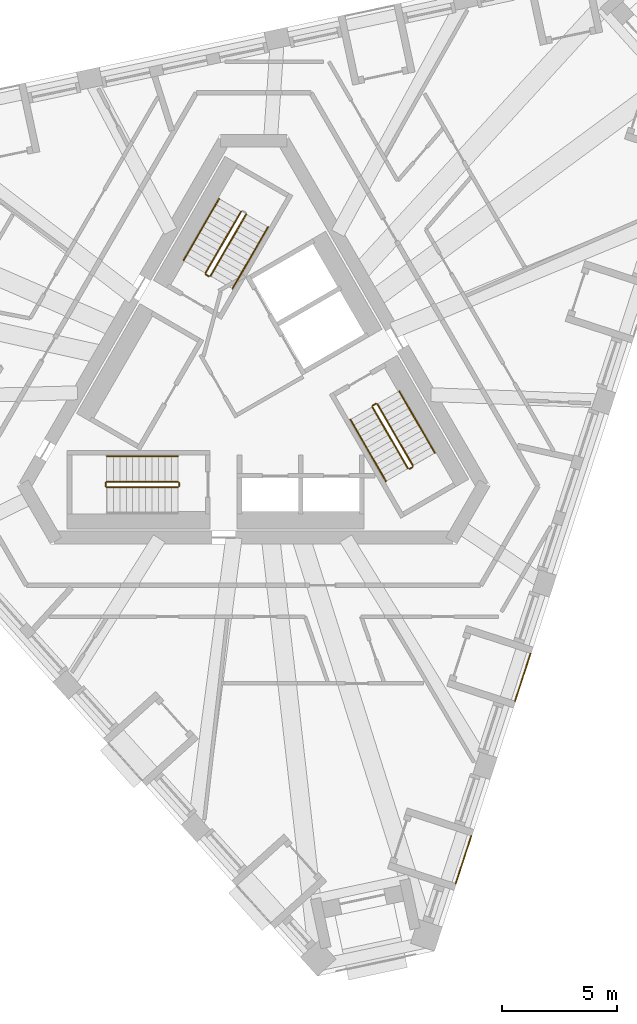
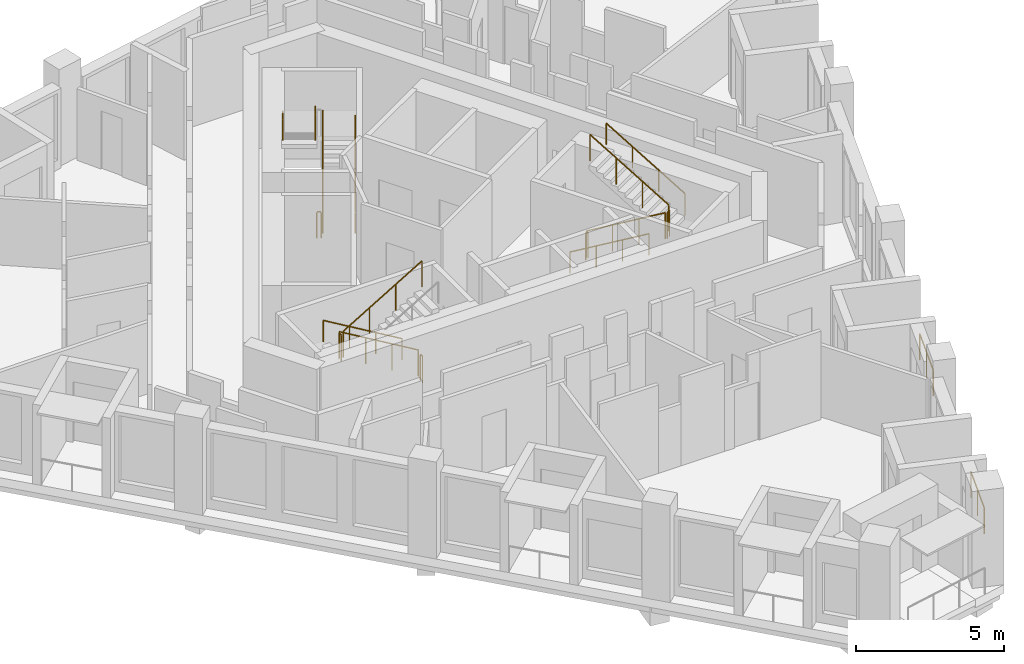
# One storey, part 11 of 13: 18 railings.
"""IFC4 building model written with IfcOpenShell, lengths in metres."""

from ifc_helpers import new_model, si_unit, direction, frame, origin, origin_2d, place, context, subcontext, project, spatial, circle, extrude, material, type_object, element, save


model = new_model("IFC4")

# Units and contexts
model_context = context("Model", 3, precision=1e-05, world=origin(), true_north=direction((0.0, 1.0)))
body_context = subcontext(model_context, "Body", "Model", "MODEL_VIEW")
ifc_project = project(units=[si_unit("LENGTHUNIT", "METRE"), si_unit("AREAUNIT", "SQUARE_METRE"), si_unit("VOLUMEUNIT", "CUBIC_METRE"), si_unit("PLANEANGLEUNIT", "RADIAN"), si_unit("MASSUNIT", "GRAM", prefix="KILO")], contexts=[model_context])

# Site, building, storey
site_placement = place(None, origin())
site = spatial("IfcSite", under=ifc_project, at=site_placement, CompositionType="ELEMENT")
building_placement = place(site_placement, origin())
building = spatial("IfcBuilding", under=site, at=building_placement, Name="Tramontana Tower", CompositionType="ELEMENT")
storey_placement = place(building_placement, frame((0.0, 0.0, 324.39990234375)))
storey = spatial("IfcBuildingStorey", under=building, at=storey_placement, Name="L74", CompositionType="ELEMENT", Elevation=324.39990234375)

# Railings
ifc_material_1 = material(Name="Laminated glass balustrade", Category="glass")
railing_type_1 = type_object("IfcRailingType", Name="GD1 Loggia glass balustrade 1100", PredefinedType="BALUSTRADE", material=ifc_material_1)
for number, where, name in (
    (1, (8.763671875, -21.472412109375, 0.0), "Loggia balustrade L74 G8S1.1"),
    (2, (11.332763671875, -13.5654296875, 0.0), "Loggia balustrade L74 G8S1.4"),
):
    element("IfcRailing", number, at=place(storey_placement, frame(where)), inside=storey, type_object=railing_type_1, Name=name, PredefinedType="BALUSTRADE", context=body_context, shape_type="SweptSolid", body=[
        extrude(circle(Radius=0.02392578125, at=origin_2d()), frame((0.0, 0.0, 1.076171875), z_axis=(0.308999623589, 0.95106216023, 0.0), x_axis=(-0.95106216023, 0.308999623589, 0.0)), (0.0, 0.0, 1.0), 2.171142578125),
        extrude(circle(Radius=0.02099609375, at=origin_2d()), origin(), (0.0, 0.0, 1.0), 1.052001953125),
        extrude(circle(Radius=0.02099609375, at=origin_2d()), frame((0.33544921875, 1.032470703125, 0.0)), (0.0, 0.0, 1.0), 1.052001953125),
        extrude(circle(Radius=0.02099609375, at=origin_2d()), frame((0.6708984375, 2.06494140625, 0.0)), (0.0, 0.0, 1.0), 1.052001953125),
    ])
ifc_material_2 = material(Name="Painted steel", Category="steel")
railing_type_2 = type_object("IfcRailingType", Name="STAIR GUARD 1100", PredefinedType="GUARDRAIL", material=ifc_material_2)
railing_1_placement = place(storey_placement, frame((-1.867431640625, 4.865478515625, 0.166748046875)))
element("IfcRailing", 3, at=railing_1_placement, inside=storey, type_object=railing_type_2, Name="L74 ST1 stair guard 1", PredefinedType="GUARDRAIL", context=body_context, shape_type="SweptSolid", body=[
    extrude(circle(Radius=0.02392578125, at=origin_2d()), frame((0.0, 0.0, 1.076171875), z_axis=(0.429649414936, 0.744189839504, 0.511451721109), x_axis=(-0.866029832698, 0.499992328818, 0.0)), (0.0, 0.0, 1.0), 3.58447265625),
    extrude(circle(Radius=0.02099609375, at=origin_2d()), origin(), (0.0, 0.0, 1.0), 1.052001953125),
    extrude(circle(Radius=0.02099609375, at=origin_2d()), frame((0.513427734375, 0.88916015625, 0.611083984375)), (0.0, 0.0, 1.0), 1.052001953125),
    extrude(circle(Radius=0.02099609375, at=origin_2d()), frame((1.026611328125, 1.7783203125, 1.22216796875)), (0.0, 0.0, 1.0), 1.052001953125),
    extrude(circle(Radius=0.02099609375, at=origin_2d()), frame((1.5400390625, 2.66748046875, 1.833251953125)), (0.0, 0.0, 1.0), 1.052001953125),
])
railing_2_placement = place(storey_placement, frame((-0.5439453125, 7.657958984375, 2.166748046875)))
element("IfcRailing", 4, at=railing_2_placement, inside=storey, type_object=railing_type_2, Name="L74 ST1 stair guard 2", PredefinedType="GUARDRAIL", context=body_context, shape_type="SweptSolid", body=[
    extrude(circle(Radius=0.02392578125, at=origin_2d()), frame((0.0, 0.0, 1.076171875), z_axis=(-0.429649414936, -0.744189839504, 0.511451721109), x_axis=(0.866029832698, -0.499992328818, 0.0)), (0.0, 0.0, 1.0), 3.58447265625),
    extrude(circle(Radius=0.02099609375, at=origin_2d()), origin(), (0.0, 0.0, 1.0), 1.052001953125),
    extrude(circle(Radius=0.02099609375, at=origin_2d()), frame((-0.513427734375, -0.88916015625, 0.611083984375)), (0.0, 0.0, 1.0), 1.052001953125),
    extrude(circle(Radius=0.02099609375, at=origin_2d()), frame((-1.026611328125, -1.7783203125, 1.22216796875)), (0.0, 0.0, 1.0), 1.052001953125),
    extrude(circle(Radius=0.02099609375, at=origin_2d()), frame((-1.5400390625, -2.66748046875, 1.833251953125)), (0.0, 0.0, 1.0), 1.052001953125),
])
railing_3_placement = place(storey_placement, frame((-1.935791015625, 4.84716796875, 0.0)))
element("IfcRailing", 5, at=railing_3_placement, inside=storey, type_object=railing_type_2, Name="L74 ST1 stair guard 4", PredefinedType="GUARDRAIL", context=body_context, shape_type="SweptSolid", body=[
    extrude(circle(Radius=0.02392578125, at=origin_2d()), frame((0.0, 0.0, 1.076171875), z_axis=(-0.865426285481, 0.501036270542, 0.0), x_axis=(-0.501036270542, -0.865426285481, 0.0)), (0.0, 0.0, 1.0), 0.150146484375),
    extrude(circle(Radius=0.02099609375, at=origin_2d()), origin(), (0.0, 0.0, 1.0), 1.052001953125),
    extrude(circle(Radius=0.02099609375, at=origin_2d()), frame((-0.1298828125, 0.0751953125, 0.0)), (0.0, 0.0, 1.0), 1.052001953125),
])
railing_4_placement = place(storey_placement, frame((-3.280029296875, -4.050048828125, 0.166748046875)))
element("IfcRailing", 6, at=railing_4_placement, inside=storey, type_object=railing_type_2, Name="L74 ST2 stair guard 1", PredefinedType="GUARDRAIL", context=body_context, shape_type="SweptSolid", body=[
    extrude(circle(Radius=0.02392578125, at=origin_2d()), frame((0.0, 0.0, 1.076171875), z_axis=(-0.859308565015, 0.0, 0.511457515432), x_axis=(0.0, -1.0, 0.0)), (0.0, 0.0, 1.0), 3.58447265625),
    extrude(circle(Radius=0.02099609375, at=origin_2d()), origin(), (0.0, 0.0, 1.0), 1.052001953125),
    extrude(circle(Radius=0.02099609375, at=origin_2d()), frame((-1.026611328125, 0.0, 0.611083984375)), (0.0, 0.0, 1.0), 1.052001953125),
    extrude(circle(Radius=0.02099609375, at=origin_2d()), frame((-2.053466796875, 0.0, 1.22216796875)), (0.0, 0.0, 1.0), 1.052001953125),
    extrude(circle(Radius=0.02099609375, at=origin_2d()), frame((-3.080078125, 0.0, 1.833251953125)), (0.0, 0.0, 1.0), 1.052001953125),
])
railing_5_placement = place(storey_placement, frame((-6.360107421875, -4.300048828125, 2.166748046875)))
element("IfcRailing", 7, at=railing_5_placement, inside=storey, type_object=railing_type_2, Name="L74 ST2 stair guard 2", PredefinedType="GUARDRAIL", context=body_context, shape_type="SweptSolid", body=[
    extrude(circle(Radius=0.02392578125, at=origin_2d()), frame((0.0, 0.0, 1.076171875), z_axis=(0.859308565015, 0.0, 0.511457515432), x_axis=(0.0, 1.0, 0.0)), (0.0, 0.0, 1.0), 3.58447265625),
    extrude(circle(Radius=0.02099609375, at=origin_2d()), origin(), (0.0, 0.0, 1.0), 1.052001953125),
    extrude(circle(Radius=0.02099609375, at=origin_2d()), frame((1.026611328125, 0.0, 0.611083984375)), (0.0, 0.0, 1.0), 1.052001953125),
    extrude(circle(Radius=0.02099609375, at=origin_2d()), frame((2.053466796875, 0.0, 1.22216796875)), (0.0, 0.0, 1.0), 1.052001953125),
    extrude(circle(Radius=0.02099609375, at=origin_2d()), frame((3.080078125, 0.0, 1.833251953125)), (0.0, 0.0, 1.0), 1.052001953125),
])
for number, where, name in (
    (8, (-6.409912109375, -4.10009765625, 2.0), "L74 ST2 stair guard 3"),
    (9, (-3.22998046875, -4.10009765625, 0.0), "L74 ST2 stair guard 4"),
):
    element("IfcRailing", number, at=place(storey_placement, frame(where)), inside=storey, type_object=railing_type_2, Name=name, PredefinedType="GUARDRAIL", context=body_context, shape_type="SweptSolid", body=[
        extrude(circle(Radius=0.02392578125, at=origin_2d()), frame((0.0, 0.0, 1.076171875), z_axis=(0.0, -1.0, 0.0), x_axis=(1.0, 0.0, 0.0)), (0.0, 0.0, 1.0), 0.14990234375),
        extrude(circle(Radius=0.02099609375, at=origin_2d()), origin(), (0.0, 0.0, 1.0), 1.052001953125),
        extrude(circle(Radius=0.02099609375, at=origin_2d()), frame((0.0, -0.14990234375, 0.0)), (0.0, 0.0, 1.0), 1.052001953125),
    ])
railing_6_placement = place(storey_placement, frame((5.1474609375, -0.815673828125, 0.166748046875)))
element("IfcRailing", 10, at=railing_6_placement, inside=storey, type_object=railing_type_2, Name="L74 ST3 stair guard 1", PredefinedType="GUARDRAIL", context=body_context, shape_type="SweptSolid", body=[
    extrude(circle(Radius=0.02392578125, at=origin_2d()), frame((0.0, 0.0, 1.076171875), z_axis=(0.429671193721, -0.744159446956, 0.511477646425), x_axis=(0.866010015463, 0.500026652407, 0.0)), (0.0, 0.0, 1.0), 3.584228515625),
    extrude(circle(Radius=0.02099609375, at=origin_2d()), origin(), (0.0, 0.0, 1.0), 1.052001953125),
    extrude(circle(Radius=0.02099609375, at=origin_2d()), frame((0.513427734375, -0.88916015625, 0.611083984375)), (0.0, 0.0, 1.0), 1.052001953125),
    extrude(circle(Radius=0.02099609375, at=origin_2d()), frame((1.026611328125, -1.778076171875, 1.22216796875)), (0.0, 0.0, 1.0), 1.052001953125),
    extrude(circle(Radius=0.02099609375, at=origin_2d()), frame((1.5400390625, -2.667236328125, 1.833251953125)), (0.0, 0.0, 1.0), 1.052001953125),
])
railing_7_placement = place(storey_placement, frame((6.90380859375, -3.35791015625, 2.166748046875)))
element("IfcRailing", 11, at=railing_7_placement, inside=storey, type_object=railing_type_2, Name="L74 ST3 stair guard 2", PredefinedType="GUARDRAIL", context=body_context, shape_type="SweptSolid", body=[
    extrude(circle(Radius=0.02392578125, at=origin_2d()), frame((0.0, 0.0, 1.076171875), z_axis=(-0.429615651263, 0.74418122563, 0.511492615401), x_axis=(-0.866044340336, -0.499967199496, 0.0)), (0.0, 0.0, 1.0), 3.584228515625),
    extrude(circle(Radius=0.02099609375, at=origin_2d()), origin(), (0.0, 0.0, 1.0), 1.052001953125),
    extrude(circle(Radius=0.02099609375, at=origin_2d()), frame((-0.51318359375, 0.88916015625, 0.611083984375)), (0.0, 0.0, 1.0), 1.052001953125),
    extrude(circle(Radius=0.02099609375, at=origin_2d()), frame((-1.026611328125, 1.778076171875, 1.22216796875)), (0.0, 0.0, 1.0), 1.052001953125),
    extrude(circle(Radius=0.02099609375, at=origin_2d()), frame((-1.539794921875, 2.667236328125, 1.833251953125)), (0.0, 0.0, 1.0), 1.052001953125),
])
for number, where, name in (
    (12, (6.755615234375, -3.501220703125, 2.0), "L74 ST3 stair guard 3"),
    (13, (5.165771484375, -0.747314453125, 0.0), "L74 ST3 stair guard 4"),
):
    element("IfcRailing", number, at=place(storey_placement, frame(where)), inside=storey, type_object=railing_type_2, Name=name, PredefinedType="GUARDRAIL", context=body_context, shape_type="SweptSolid", body=[
        extrude(circle(Radius=0.02392578125, at=origin_2d()), frame((0.0, 0.0, 1.076171875), z_axis=(0.866131372301, 0.499816412211, 0.0), x_axis=(-0.499816412211, 0.866131372301, 0.0)), (0.0, 0.0, 1.0), 0.14990234375),
        extrude(circle(Radius=0.02099609375, at=origin_2d()), origin(), (0.0, 0.0, 1.0), 1.052001953125),
        extrude(circle(Radius=0.02099609375, at=origin_2d()), frame((0.1298828125, 0.074951171875, 0.0)), (0.0, 0.0, 1.0), 1.052001953125),
    ])
ifc_material_3 = material(Name="Painted steel", Category="steel")
railing_type_3 = type_object("IfcRailingType", Name="STAIR HANDRAIL 900", PredefinedType="HANDRAIL", material=ifc_material_3)
railing_8_placement = place(storey_placement, frame((-0.914794921875, 4.315673828125, 0.166748046875)))
element("IfcRailing", 14, at=railing_8_placement, inside=storey, type_object=railing_type_3, Name="L74 ST1 stair handrail 1", PredefinedType="HANDRAIL", context=body_context, shape_type="SweptSolid", body=[
    extrude(circle(Radius=0.02392578125, at=origin_2d()), frame((0.0, 0.0, 0.8759765625), z_axis=(0.429671193721, 0.744159446956, 0.511477646425), x_axis=(-0.866010015463, 0.500026652407, 0.0)), (0.0, 0.0, 1.0), 3.584228515625),
    extrude(circle(Radius=0.02099609375, at=origin_2d()), origin(), (0.0, 0.0, 1.0), 0.851806640625),
    extrude(circle(Radius=0.02099609375, at=origin_2d()), frame((0.513427734375, 0.88916015625, 0.611083984375)), (0.0, 0.0, 1.0), 0.851806640625),
    extrude(circle(Radius=0.02099609375, at=origin_2d()), frame((1.026611328125, 1.778076171875, 1.22216796875)), (0.0, 0.0, 1.0), 0.851806640625),
    extrude(circle(Radius=0.02099609375, at=origin_2d()), frame((1.5400390625, 2.667236328125, 1.833251953125)), (0.0, 0.0, 1.0), 0.851806640625),
])
railing_9_placement = place(storey_placement, frame((-1.49658203125, 8.2080078125, 2.166748046875)))
element("IfcRailing", 15, at=railing_9_placement, inside=storey, type_object=railing_type_3, Name="L74 ST1 stair handrail 2", PredefinedType="HANDRAIL", context=body_context, shape_type="SweptSolid", body=[
    extrude(circle(Radius=0.02392578125, at=origin_2d()), frame((0.0, 0.0, 0.8759765625), z_axis=(-0.429649414936, -0.744189839504, 0.511451721109), x_axis=(0.866029832698, -0.499992328818, 0.0)), (0.0, 0.0, 1.0), 3.58447265625),
    extrude(circle(Radius=0.02099609375, at=origin_2d()), origin(), (0.0, 0.0, 1.0), 0.851806640625),
    extrude(circle(Radius=0.02099609375, at=origin_2d()), frame((-0.513427734375, -0.88916015625, 0.611083984375)), (0.0, 0.0, 1.0), 0.851806640625),
    extrude(circle(Radius=0.02099609375, at=origin_2d()), frame((-1.026611328125, -1.7783203125, 1.22216796875)), (0.0, 0.0, 1.0), 0.851806640625),
    extrude(circle(Radius=0.02099609375, at=origin_2d()), frame((-1.5400390625, -2.66748046875, 1.833251953125)), (0.0, 0.0, 1.0), 0.851806640625),
])
railing_10_placement = place(storey_placement, frame((-3.280029296875, -2.949951171875, 0.166748046875)))
element("IfcRailing", 16, at=railing_10_placement, inside=storey, type_object=railing_type_3, Name="L74 ST2 stair handrail 1", PredefinedType="HANDRAIL", context=body_context, shape_type="SweptSolid", body=[
    extrude(circle(Radius=0.02392578125, at=origin_2d()), frame((0.0, 0.0, 0.8759765625), z_axis=(-0.859308565015, 0.0, 0.511457515432), x_axis=(0.0, -1.0, 0.0)), (0.0, 0.0, 1.0), 3.58447265625),
    extrude(circle(Radius=0.02099609375, at=origin_2d()), origin(), (0.0, 0.0, 1.0), 0.851806640625),
    extrude(circle(Radius=0.02099609375, at=origin_2d()), frame((-1.026611328125, 0.0, 0.611083984375)), (0.0, 0.0, 1.0), 0.851806640625),
    extrude(circle(Radius=0.02099609375, at=origin_2d()), frame((-2.053466796875, 0.0, 1.22216796875)), (0.0, 0.0, 1.0), 0.851806640625),
    extrude(circle(Radius=0.02099609375, at=origin_2d()), frame((-3.080078125, 0.0, 1.833251953125)), (0.0, 0.0, 1.0), 0.851806640625),
])
railing_11_placement = place(storey_placement, frame((4.19482421875, -1.365478515625, 0.166748046875)))
element("IfcRailing", 17, at=railing_11_placement, inside=storey, type_object=railing_type_3, Name="L74 ST3 stair handrail 1", PredefinedType="HANDRAIL", context=body_context, shape_type="SweptSolid", body=[
    extrude(circle(Radius=0.02392578125, at=origin_2d()), frame((0.0, 0.0, 0.8759765625), z_axis=(0.429649414936, -0.744189839504, 0.511451721109), x_axis=(0.866029832698, 0.499992328818, 0.0)), (0.0, 0.0, 1.0), 3.58447265625),
    extrude(circle(Radius=0.02099609375, at=origin_2d()), origin(), (0.0, 0.0, 1.0), 0.851806640625),
    extrude(circle(Radius=0.02099609375, at=origin_2d()), frame((0.513427734375, -0.88916015625, 0.611083984375)), (0.0, 0.0, 1.0), 0.851806640625),
    extrude(circle(Radius=0.02099609375, at=origin_2d()), frame((1.026611328125, -1.7783203125, 1.22216796875)), (0.0, 0.0, 1.0), 0.851806640625),
    extrude(circle(Radius=0.02099609375, at=origin_2d()), frame((1.5400390625, -2.66748046875, 1.833251953125)), (0.0, 0.0, 1.0), 0.851806640625),
])
railing_12_placement = place(storey_placement, frame((7.8564453125, -2.807861328125, 2.166748046875)))
element("IfcRailing", 18, at=railing_12_placement, inside=storey, type_object=railing_type_3, Name="L74 ST3 stair handrail 2", PredefinedType="HANDRAIL", context=body_context, shape_type="SweptSolid", body=[
    extrude(circle(Radius=0.02392578125, at=origin_2d()), frame((0.0, 0.0, 0.8759765625), z_axis=(-0.429615651263, 0.74418122563, 0.511492615401), x_axis=(-0.866044340336, -0.499967199496, 0.0)), (0.0, 0.0, 1.0), 3.584228515625),
    extrude(circle(Radius=0.02099609375, at=origin_2d()), origin(), (0.0, 0.0, 1.0), 0.851806640625),
    extrude(circle(Radius=0.02099609375, at=origin_2d()), frame((-0.51318359375, 0.88916015625, 0.611083984375)), (0.0, 0.0, 1.0), 0.851806640625),
    extrude(circle(Radius=0.02099609375, at=origin_2d()), frame((-1.026611328125, 1.778076171875, 1.22216796875)), (0.0, 0.0, 1.0), 0.851806640625),
    extrude(circle(Radius=0.02099609375, at=origin_2d()), frame((-1.539794921875, 2.667236328125, 1.833251953125)), (0.0, 0.0, 1.0), 0.851806640625),
])

save(model, "model.ifc")
